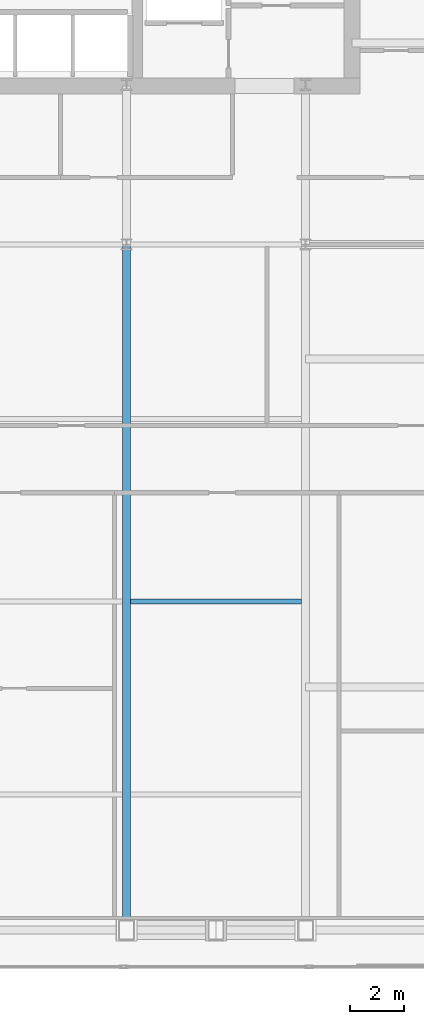
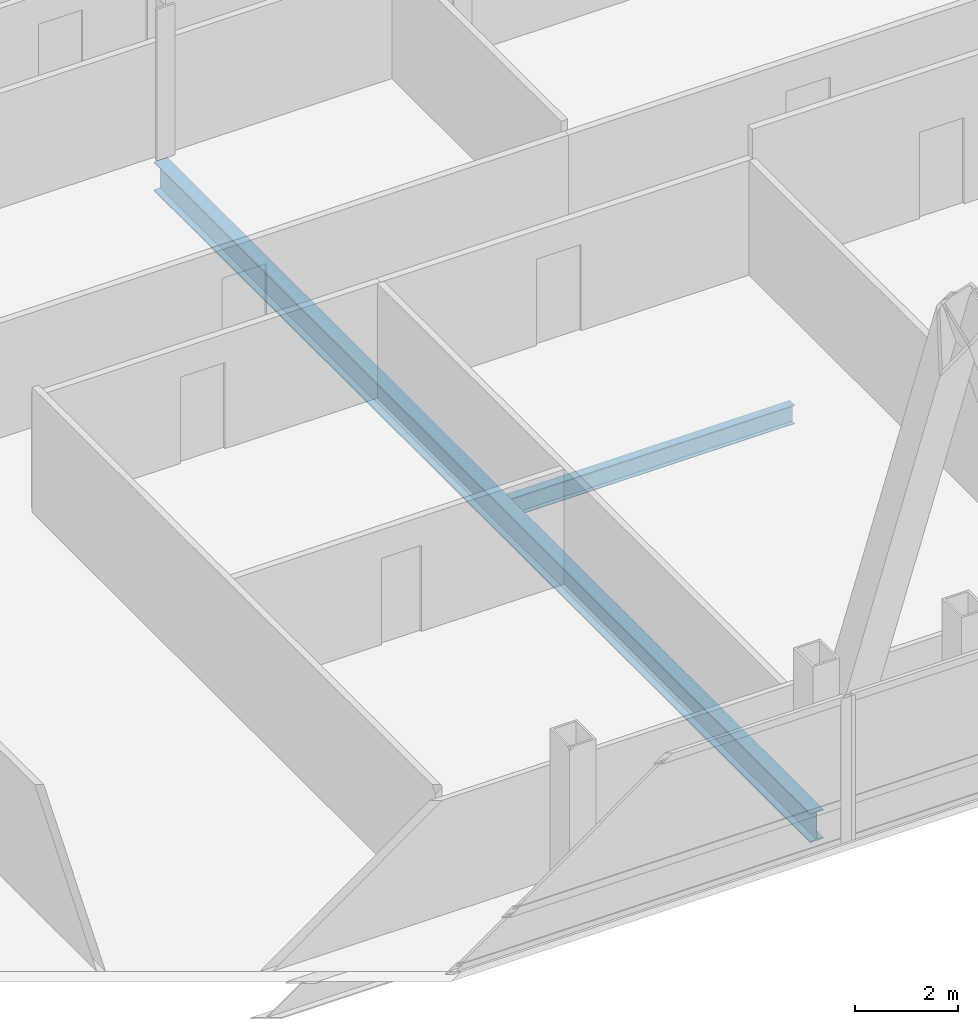
# One storey, part 14 of 32: 2 beams.
"""IFC4 building model written with IfcOpenShell, lengths in metres."""

from ifc_helpers import new_model, si_unit, direction, frame, origin, origin_2d, place, context, subcontext, project, spatial, i_section, extrude, material, material_profile, profile_set, type_object, element, save


model = new_model("IFC4")

# Units and contexts
model_context = context("Model", 3, precision=1e-05, world=origin(), true_north=direction((0.0, 1.0)))
body_context = subcontext(model_context, "Body", "Model", "MODEL_VIEW")
ifc_project = project(units=[si_unit("LENGTHUNIT", "METRE"), si_unit("AREAUNIT", "SQUARE_METRE"), si_unit("VOLUMEUNIT", "CUBIC_METRE"), si_unit("PLANEANGLEUNIT", "RADIAN"), si_unit("MASSUNIT", "GRAM", prefix="KILO")], contexts=[model_context])

# Site, building, storey
site_placement = place(None, origin())
site = spatial("IfcSite", under=ifc_project, at=site_placement, CompositionType="ELEMENT")
building_placement = place(site_placement, origin())
building = spatial("IfcBuilding", under=site, at=building_placement, Name="Khoronbel Lancet Exchange", CompositionType="ELEMENT")
storey_placement = place(building_placement, frame((0.0, 0.0, 199.39990234375)))
storey = spatial("IfcBuildingStorey", under=building, at=storey_placement, Name="L50", CompositionType="ELEMENT", Elevation=199.39990234375)

# Beams
ifc_material = material(Name="Steel S355", Category="steel")
ifc_material_profile_1 = material_profile(ifc_material, i_section(OverallWidth=0.300048828125, OverallDepth=0.699951171875, WebThickness=0.01708984375, FlangeThickness=0.031982421875, at=origin_2d()), Name="HEB 700")
ifc_profile_set_1 = profile_set([ifc_material_profile_1], Name="Steel S355")
beam_type_1 = type_object("IfcBeamType", Name="BM-BG3", PredefinedType="BEAM", material=ifc_profile_set_1)
beam_1_placement = place(storey_placement, frame((48.0, 10.14990234375, -0.510009765625), z_axis=(0.0, 1.0, 0.0), x_axis=(-1.0, 0.0, 0.0)))
element("IfcBeam", 1, at=beam_1_placement, inside=storey, type_object=beam_type_1, Name="Level L50 south primary girder GS5", PredefinedType="BEAM", context=body_context, shape_type="SweptSolid", body=[
    extrude(i_section(OverallWidth=0.300048828125, OverallDepth=0.699951171875, WebThickness=0.01708984375, FlangeThickness=0.031982421875, at=origin_2d()), origin(), (0.0, 0.0, 1.0), 25.550048828125),
])
ifc_material_profile_2 = material_profile(ifc_material, i_section(OverallWidth=0.18994140625, OverallDepth=0.449951171875, WebThickness=0.009521484375, FlangeThickness=0.0146484375, at=origin_2d()), Name="IPE 450")
ifc_profile_set_2 = profile_set([ifc_material_profile_2], Name="Steel S355")
beam_type_2 = type_object("IfcBeamType", Name="BM-BJ4", PredefinedType="JOIST", material=ifc_profile_set_2)
beam_2_placement = place(storey_placement, frame((48.14990234375, 22.39990234375, -0.385009765625), z_axis=(1.0, 0.0, 0.0), x_axis=(0.0, 1.0, 0.0)))
element("IfcBeam", 2, at=beam_2_placement, inside=storey, type_object=beam_type_2, Name="Level L50 secondary composite joist J10", PredefinedType="JOIST", context=body_context, shape_type="SweptSolid", body=[
    extrude(i_section(OverallWidth=0.18994140625, OverallDepth=0.449951171875, WebThickness=0.009521484375, FlangeThickness=0.0146484375, at=origin_2d()), origin(), (0.0, 0.0, 1.0), 6.375),
])

save(model, "model.ifc")
